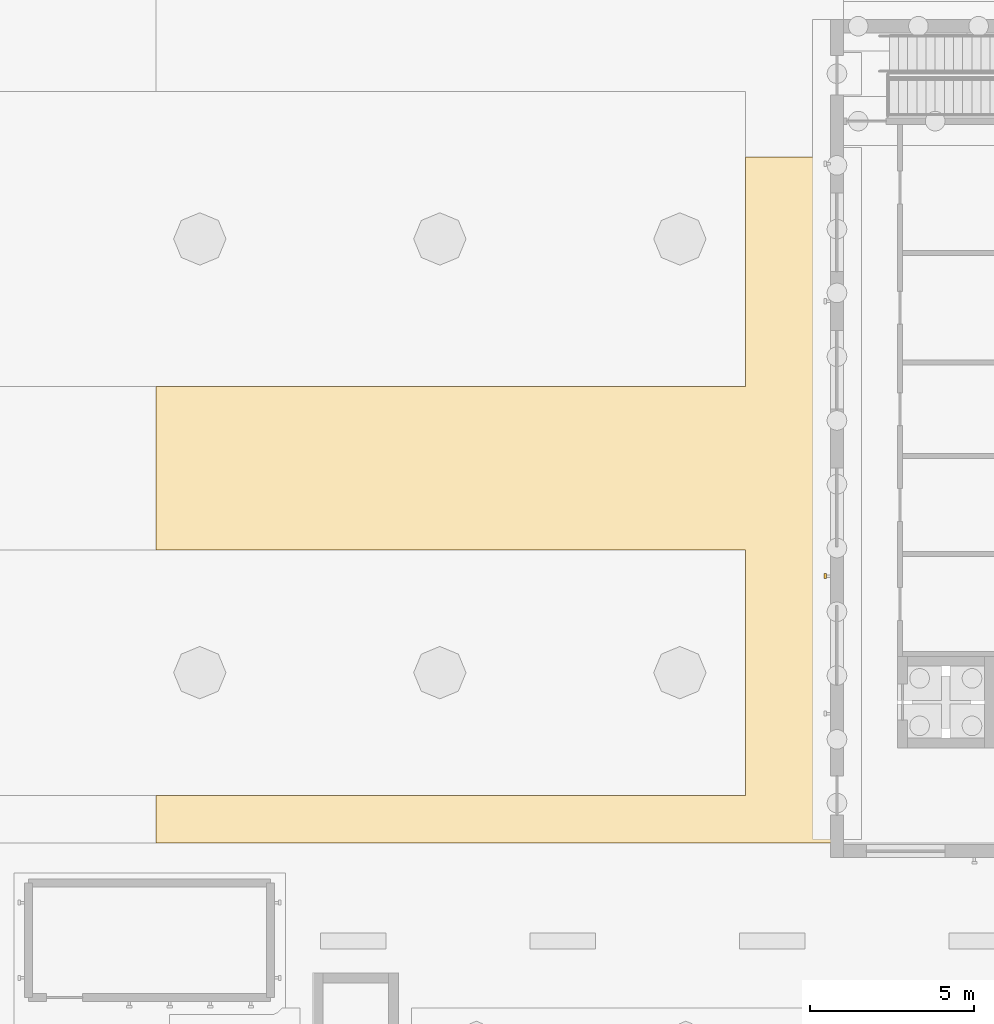
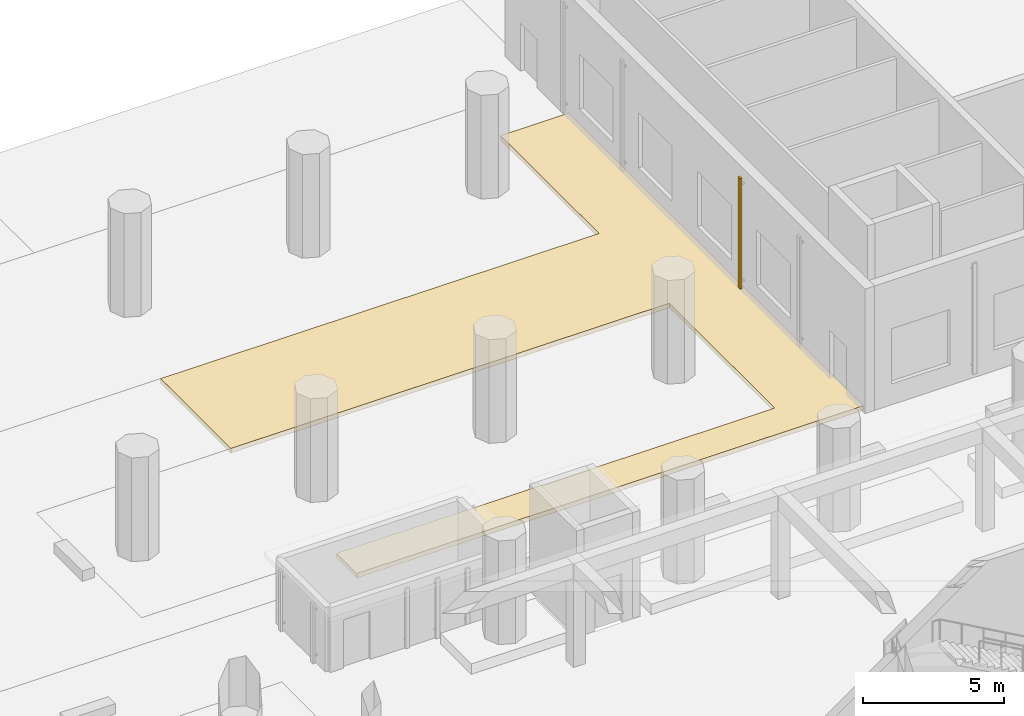
# One storey, part 117 of 127: 1 covering, 1 shading device.
"""IFC4 building model written with IfcOpenShell, lengths in metres."""

import ifcopenshell
import ifcopenshell.guid

model = None  # the IFC model being written
_history = None  # IfcOwnerHistory: only IFC2X3 demands one
_inside = {}  # id of a spatial element -> (the spatial element, [elements in it])
_under = {}  # id of a project, library or spatial element -> (it, [spatial elements below it])
_declared = {}  # id of a project -> (the project, [libraries it declares])
_typed = {}  # id of a type object -> (the type object, [elements of that type])
_made_of = {}  # id of a material, layer set ... -> (it, [elements and type objects made of it])


def new_model(schema):
    """Start an empty IFC model of exactly this schema.

    Asked for "IFC4X3", IfcOpenShell would pick the latest addendum, in which some entities
    have other attributes; the version numbers below select the first issue.
    IFC2X3 requires an IfcOwnerHistory on every rooted entity: one is made here for all.
    """
    global model, _history
    if schema == "IFC4X3":
        model = ifcopenshell.file(schema_version=(4, 3, 0, 0))
    else:
        model = ifcopenshell.file(schema=schema)
    _inside.clear()
    _under.clear()
    _declared.clear()
    _typed.clear()
    _made_of.clear()
    _history = None
    if model.schema == "IFC2X3":
        org = make("IfcOrganization", Name="unknown")
        user = make(
            "IfcPersonAndOrganization",
            ThePerson=make("IfcPerson", FamilyName="unknown"),
            TheOrganization=org,
        )
        app = make(
            "IfcApplication",
            ApplicationDeveloper=org,
            Version="unknown",
            ApplicationFullName="unknown",
            ApplicationIdentifier="unknown",
        )
        _history = make(
            "IfcOwnerHistory",
            OwningUser=user,
            OwningApplication=app,
            ChangeAction="ADDED",
            CreationDate=0,
        )
    return model


def make(cls, **values):
    """One entity of the class cls with the attributes given. An attribute that is None is left unset."""
    return model.create_entity(
        cls, **{name: value for name, value in values.items() if value is not None}
    )


def rooted(cls, **values):
    """An entity with a GlobalId (a new one), such as an element, a storey or a relation."""
    return make(cls, GlobalId=ifcopenshell.guid.new(), OwnerHistory=_history, **values)


def si_unit(unit_type, name, prefix=None):
    """IfcSIUnit, for example si_unit("LENGTHUNIT", "METRE", prefix="MILLI")."""
    return make("IfcSIUnit", UnitType=unit_type, Prefix=prefix, Name=name)


def assignment(units):
    """IfcUnitAssignment: the units of a project."""
    return None if units is None else make("IfcUnitAssignment", Units=units)


def point(xyz):
    """IfcCartesianPoint."""
    return None if xyz is None else make("IfcCartesianPoint", Coordinates=xyz)


def direction(xyz):
    """IfcDirection."""
    return None if xyz is None else make("IfcDirection", DirectionRatios=xyz)


def frame(location, z_axis=None, x_axis=None):
    """IfcAxis2Placement3D, a coordinate frame: its origin and axes. An axis left out is left unset."""
    return make(
        "IfcAxis2Placement3D",
        Location=point(location),
        Axis=direction(z_axis),
        RefDirection=direction(x_axis),
    )


def frame_2d(location, x_axis=None):
    """IfcAxis2Placement2D, a coordinate frame in the plane: its origin and x axis."""
    return make(
        "IfcAxis2Placement2D", Location=point(location), RefDirection=direction(x_axis)
    )


def origin():
    """The frame at (0, 0, 0) with its axes left unset."""
    return frame((0.0, 0.0, 0.0))


def origin_2d():
    """The frame at (0, 0) in the plane with its x axis left unset."""
    return frame_2d((0.0, 0.0))


def place(relative_to, where):
    """IfcLocalPlacement: puts the frame where relative to a parent placement (None: the world)."""
    return make(
        "IfcLocalPlacement", PlacementRelTo=relative_to, RelativePlacement=where
    )


def context(
    kind, dimensions, precision=None, world=None, true_north=None, identifier=None
):
    """IfcGeometricRepresentationContext, for example the 3D "Model" context."""
    return make(
        "IfcGeometricRepresentationContext",
        ContextIdentifier=identifier,
        ContextType=kind,
        CoordinateSpaceDimension=dimensions,
        Precision=precision,
        WorldCoordinateSystem=world,
        TrueNorth=true_north,
    )


def subcontext(parent, identifier, kind, view, scale=None):
    """IfcGeometricRepresentationSubContext, for example "Body" below "Model"."""
    return make(
        "IfcGeometricRepresentationSubContext",
        ContextIdentifier=identifier,
        ContextType=kind,
        ParentContext=parent,
        TargetScale=scale,
        TargetView=view,
    )


def project(units=None, contexts=None):
    """IfcProject with its units and contexts."""
    return rooted(
        "IfcProject",
        Name="project",
        RepresentationContexts=contexts,
        UnitsInContext=assignment(units),
    )


def spatial(cls, under=None, at=None, **own):
    """A site, building, storey or space (cls), placed at a placement, below another one or the project."""
    s = rooted(cls, ObjectPlacement=at, **own)
    if under is not None:
        _under.setdefault(under.id(), (under, []))[1].append(s)
    return s


def polyline(points):
    """IfcPolyline through the points."""
    return make("IfcPolyline", Points=[point(p) for p in points])


def profile(cls, at=None, kind="AREA", **sizes):
    """A parametric profile (cls). Its sizes go by their IFC names, for example OverallWidth=200.0."""
    return make(cls, ProfileType=kind, Position=at, **sizes)


def rectangle(**sizes):
    """IfcRectangleProfileDef."""
    return profile("IfcRectangleProfileDef", **sizes)


def outline(outer, holes=None, kind="AREA"):
    """IfcArbitraryClosedProfileDef: a profile drawn as a closed curve; with holes, ...WithVoids."""
    if holes is None:
        return make("IfcArbitraryClosedProfileDef", ProfileType=kind, OuterCurve=outer)
    return make(
        "IfcArbitraryProfileDefWithVoids",
        ProfileType=kind,
        OuterCurve=outer,
        InnerCurves=holes,
    )


def extrude(swept, where, along, depth):
    """IfcExtrudedAreaSolid: the profile swept, set in the frame where, extruded along a direction by depth."""
    return make(
        "IfcExtrudedAreaSolid",
        SweptArea=swept,
        Position=where,
        ExtrudedDirection=direction(along),
        Depth=depth,
    )


def shape(context_of_items, identifier, shape_type, items):
    """IfcShapeRepresentation: the items that make up one representation, for example the "Body"."""
    return make(
        "IfcShapeRepresentation",
        ContextOfItems=context_of_items,
        RepresentationIdentifier=identifier,
        RepresentationType=shape_type,
        Items=items,
    )


def material(Name=None, Category=None):
    """IfcMaterial."""
    return make("IfcMaterial", Name=Name, Category=Category)


def layer(
    of_material, thickness, ventilated=None, Name=None, Category=None, Priority=None
):
    """IfcMaterialLayer: one layer of a wall or slab, of a material (None: an air gap)."""
    return make(
        "IfcMaterialLayer",
        Material=of_material,
        LayerThickness=thickness,
        IsVentilated=ventilated,
        Name=Name,
        Category=Category,
        Priority=Priority,
    )


def layer_set(layers, Name=None):
    """IfcMaterialLayerSet."""
    return make("IfcMaterialLayerSet", MaterialLayers=layers, LayerSetName=Name)


def made_of(thing, what):
    """Note that an element or type object is made of a material, layer set ...; save() writes the relation."""
    if what is not None:
        _made_of.setdefault(what.id(), (what, []))[1].append(thing)
    return thing


def type_object(cls, material=None, **own):
    """A type object (cls), such as IfcWallType, which elements share."""
    return made_of(rooted(cls, **own), material)


def element(
    cls,
    number,
    at=None,
    inside=None,
    cuts=None,
    type_object=None,
    material=None,
    context=None,
    identifier="Body",
    shape_type=None,
    held_by="IfcProductDefinitionShape",
    body=None,
    shapes=None,
    **own,
):
    """One element of the class cls, such as IfcWall. Its Tag is "e" and its number.

    at: its placement. inside: the storey or other place that contains it. cuts: it is an
    opening in that element (IfcRelVoidsElement). A single representation is given by context,
    identifier, shape_type and body (its items); several are given by shapes. held_by: the class
    of the entity that holds the representations. save() writes the other relations.
    """
    e = rooted(cls, Tag="e%d" % number, ObjectPlacement=at, **own)
    if body is not None:
        shapes = [shape(context, identifier, shape_type, body)]
    if shapes is not None:
        e.Representation = make(held_by, Representations=shapes)
    if inside is not None:
        _inside.setdefault(inside.id(), (inside, []))[1].append(e)
    if cuts is not None:
        rooted(
            "IfcRelVoidsElement", RelatingBuildingElement=cuts, RelatedOpeningElement=e
        )
    if type_object is not None:
        _typed.setdefault(type_object.id(), (type_object, []))[1].append(e)
    return made_of(e, material)


def aggregate(whole, parts):
    """IfcRelAggregates: a whole, such as a stair, and the parts it consists of."""
    return rooted("IfcRelAggregates", RelatingObject=whole, RelatedObjects=parts)


def save(model, path):
    """Write the relations noted so far, then the file.

    IfcRelAggregates (storeys below a building ...), IfcRelContainedInSpatialStructure (elements
    in a storey), IfcRelDefinesByType, IfcRelAssociatesMaterial and IfcRelDeclares: one each for
    every whole, place, type object, material and project.
    """
    for whole, parts in _under.values():
        aggregate(whole, parts)
    for where, things in _inside.values():
        rooted(
            "IfcRelContainedInSpatialStructure",
            RelatedElements=things,
            RelatingStructure=where,
        )
    for kind, things in _typed.values():
        rooted("IfcRelDefinesByType", RelatedObjects=things, RelatingType=kind)
    for what, things in _made_of.values():
        rooted("IfcRelAssociatesMaterial", RelatedObjects=things, RelatingMaterial=what)
    for by, libraries in _declared.values():
        rooted("IfcRelDeclares", RelatingContext=by, RelatedDefinitions=libraries)
    model.write(path)


model = new_model("IFC4")

# Units and contexts
model_context = context("Model", 3, precision=1e-05, world=origin(), true_north=direction((0.0, 1.0)))
body_context = subcontext(model_context, "Body", "Model", "MODEL_VIEW")
ifc_project = project(units=[si_unit("LENGTHUNIT", "METRE"), si_unit("AREAUNIT", "SQUARE_METRE"), si_unit("VOLUMEUNIT", "CUBIC_METRE"), si_unit("PLANEANGLEUNIT", "RADIAN"), si_unit("MASSUNIT", "GRAM", prefix="KILO")], contexts=[model_context])

# Site, building, storey
site_placement = place(None, origin())
site = spatial("IfcSite", under=ifc_project, at=site_placement, CompositionType="ELEMENT")
building_placement = place(site_placement, origin())
building = spatial("IfcBuilding", under=site, at=building_placement, Name="Ljudholm Concert House", CompositionType="ELEMENT")
storey_placement = place(building_placement, origin())
storey = spatial("IfcBuildingStorey", under=building, at=storey_placement, Name="L00", CompositionType="ELEMENT", Elevation=0.0)

# Shading device
ifc_material_1 = material(Name="Aluminium extrusion with timber-grain PVDF finish", Category="aluminium")
shading_device_type = type_object("IfcShadingDeviceType", Name="FACADE FIN 80x160", PredefinedType="SHUTTER", material=ifc_material_1)
shading_device_placement = place(storey_placement, frame((62.43994140625, 155.199951171875, 0.2998046875), z_axis=(0.0, 0.0, 1.0), x_axis=(-1.0, 0.0, 0.0)))
element("IfcShadingDevice", 1, at=shading_device_placement, inside=storey, type_object=shading_device_type, Name="Facade fin", PredefinedType="SHUTTER", context=body_context, shape_type="SweptSolid", body=[
    extrude(rectangle(XDim=0.080078125, YDim=0.159912109375, at=origin_2d()), origin(), (0.0, 0.0, 1.0), 4.800048828125),
])

# Covering
ifc_material_2 = material(Name="Precast concrete pavers on compacted sand bed", Category="concrete")
ifc_layer = layer(ifc_material_2, 0.199951171875)
ifc_layer_set = layer_set([ifc_layer], Name="Precast concrete pavers on compacted sand bed")
covering_type = type_object("IfcCoveringType", Name="PRECAST CONCRETE PAVERS ON COMPACTED SAND BED PAVING 200", PredefinedType="USERDEFINED", material=ifc_layer_set)
covering_placement = place(storey_placement, frame((0.0, 0.0, -0.199951171875)))
element("IfcCovering", 2, at=covering_placement, inside=storey, type_object=covering_type, Name="Paving", ObjectType="PAVING", PredefinedType="USERDEFINED", context=body_context, shape_type="SweptSolid", body=[
    extrude(outline(polyline([(62.800048828125, 147.050048828125), (42.0, 147.050048828125), (42.0, 148.5), (60.0, 148.5), (60.0, 156.0), (42.0, 156.0), (42.0, 161.0), (60.0, 161.0), (60.0, 168.0), (62.800048828125, 168.0), (62.800048828125, 147.050048828125)])), origin(), (0.0, 0.0, 1.0), 0.199951171875),
])

save(model, "model.ifc")
